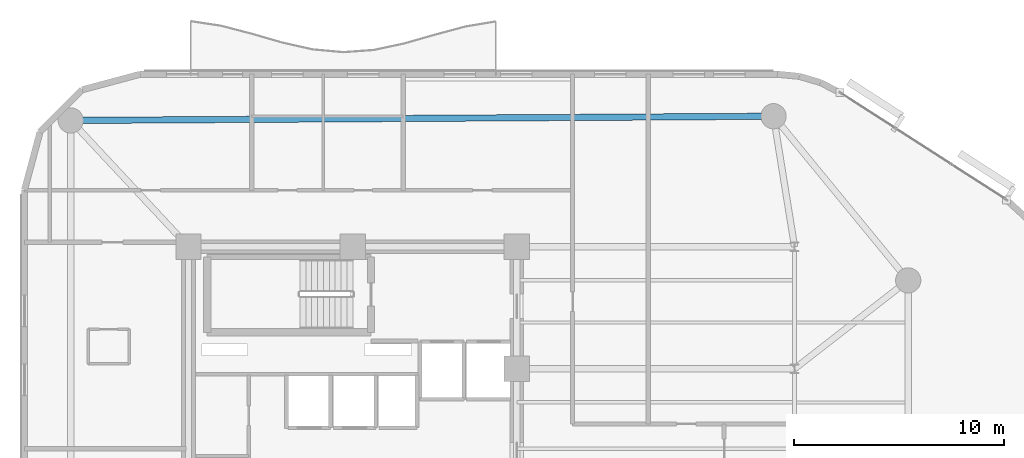
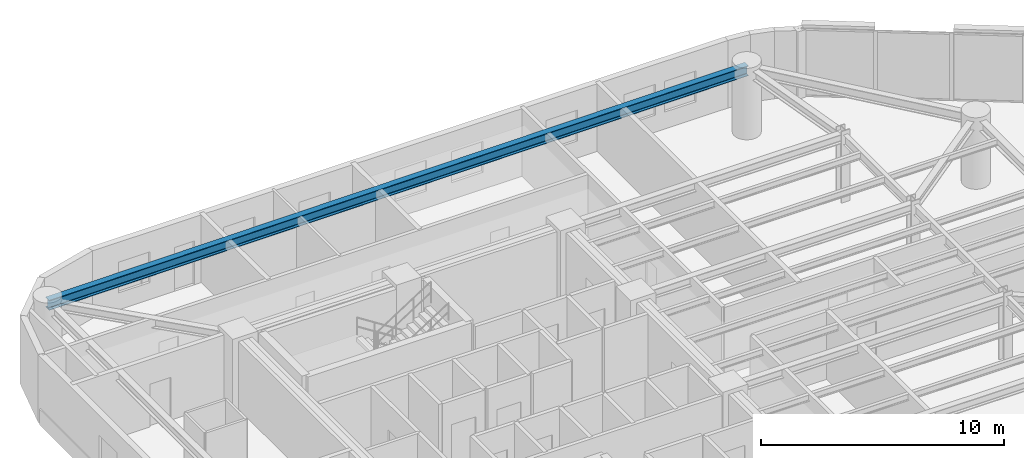
# One storey, part 7 of 15: 1 beam.
"""IFC4 building model written with IfcOpenShell, lengths in metres."""

import ifcopenshell
import ifcopenshell.guid

model = None  # the IFC model being written
_history = None  # IfcOwnerHistory: only IFC2X3 demands one
_inside = {}  # id of a spatial element -> (the spatial element, [elements in it])
_under = {}  # id of a project, library or spatial element -> (it, [spatial elements below it])
_declared = {}  # id of a project -> (the project, [libraries it declares])
_typed = {}  # id of a type object -> (the type object, [elements of that type])
_made_of = {}  # id of a material, layer set ... -> (it, [elements and type objects made of it])


def new_model(schema):
    """Start an empty IFC model of exactly this schema.

    Asked for "IFC4X3", IfcOpenShell would pick the latest addendum, in which some entities
    have other attributes; the version numbers below select the first issue.
    IFC2X3 requires an IfcOwnerHistory on every rooted entity: one is made here for all.
    """
    global model, _history
    if schema == "IFC4X3":
        model = ifcopenshell.file(schema_version=(4, 3, 0, 0))
    else:
        model = ifcopenshell.file(schema=schema)
    _inside.clear()
    _under.clear()
    _declared.clear()
    _typed.clear()
    _made_of.clear()
    _history = None
    if model.schema == "IFC2X3":
        org = make("IfcOrganization", Name="unknown")
        user = make(
            "IfcPersonAndOrganization",
            ThePerson=make("IfcPerson", FamilyName="unknown"),
            TheOrganization=org,
        )
        app = make(
            "IfcApplication",
            ApplicationDeveloper=org,
            Version="unknown",
            ApplicationFullName="unknown",
            ApplicationIdentifier="unknown",
        )
        _history = make(
            "IfcOwnerHistory",
            OwningUser=user,
            OwningApplication=app,
            ChangeAction="ADDED",
            CreationDate=0,
        )
    return model


def make(cls, **values):
    """One entity of the class cls with the attributes given. An attribute that is None is left unset."""
    return model.create_entity(
        cls, **{name: value for name, value in values.items() if value is not None}
    )


def rooted(cls, **values):
    """An entity with a GlobalId (a new one), such as an element, a storey or a relation."""
    return make(cls, GlobalId=ifcopenshell.guid.new(), OwnerHistory=_history, **values)


def si_unit(unit_type, name, prefix=None):
    """IfcSIUnit, for example si_unit("LENGTHUNIT", "METRE", prefix="MILLI")."""
    return make("IfcSIUnit", UnitType=unit_type, Prefix=prefix, Name=name)


def assignment(units):
    """IfcUnitAssignment: the units of a project."""
    return None if units is None else make("IfcUnitAssignment", Units=units)


def point(xyz):
    """IfcCartesianPoint."""
    return None if xyz is None else make("IfcCartesianPoint", Coordinates=xyz)


def direction(xyz):
    """IfcDirection."""
    return None if xyz is None else make("IfcDirection", DirectionRatios=xyz)


def frame(location, z_axis=None, x_axis=None):
    """IfcAxis2Placement3D, a coordinate frame: its origin and axes. An axis left out is left unset."""
    return make(
        "IfcAxis2Placement3D",
        Location=point(location),
        Axis=direction(z_axis),
        RefDirection=direction(x_axis),
    )


def frame_2d(location, x_axis=None):
    """IfcAxis2Placement2D, a coordinate frame in the plane: its origin and x axis."""
    return make(
        "IfcAxis2Placement2D", Location=point(location), RefDirection=direction(x_axis)
    )


def origin():
    """The frame at (0, 0, 0) with its axes left unset."""
    return frame((0.0, 0.0, 0.0))


def origin_2d():
    """The frame at (0, 0) in the plane with its x axis left unset."""
    return frame_2d((0.0, 0.0))


def place(relative_to, where):
    """IfcLocalPlacement: puts the frame where relative to a parent placement (None: the world)."""
    return make(
        "IfcLocalPlacement", PlacementRelTo=relative_to, RelativePlacement=where
    )


def context(
    kind, dimensions, precision=None, world=None, true_north=None, identifier=None
):
    """IfcGeometricRepresentationContext, for example the 3D "Model" context."""
    return make(
        "IfcGeometricRepresentationContext",
        ContextIdentifier=identifier,
        ContextType=kind,
        CoordinateSpaceDimension=dimensions,
        Precision=precision,
        WorldCoordinateSystem=world,
        TrueNorth=true_north,
    )


def subcontext(parent, identifier, kind, view, scale=None):
    """IfcGeometricRepresentationSubContext, for example "Body" below "Model"."""
    return make(
        "IfcGeometricRepresentationSubContext",
        ContextIdentifier=identifier,
        ContextType=kind,
        ParentContext=parent,
        TargetScale=scale,
        TargetView=view,
    )


def project(units=None, contexts=None):
    """IfcProject with its units and contexts."""
    return rooted(
        "IfcProject",
        Name="project",
        RepresentationContexts=contexts,
        UnitsInContext=assignment(units),
    )


def spatial(cls, under=None, at=None, **own):
    """A site, building, storey or space (cls), placed at a placement, below another one or the project."""
    s = rooted(cls, ObjectPlacement=at, **own)
    if under is not None:
        _under.setdefault(under.id(), (under, []))[1].append(s)
    return s


def profile(cls, at=None, kind="AREA", **sizes):
    """A parametric profile (cls). Its sizes go by their IFC names, for example OverallWidth=200.0."""
    return make(cls, ProfileType=kind, Position=at, **sizes)


def i_section(**sizes):
    """IfcIShapeProfileDef."""
    return profile("IfcIShapeProfileDef", **sizes)


def extrude(swept, where, along, depth):
    """IfcExtrudedAreaSolid: the profile swept, set in the frame where, extruded along a direction by depth."""
    return make(
        "IfcExtrudedAreaSolid",
        SweptArea=swept,
        Position=where,
        ExtrudedDirection=direction(along),
        Depth=depth,
    )


def shape(context_of_items, identifier, shape_type, items):
    """IfcShapeRepresentation: the items that make up one representation, for example the "Body"."""
    return make(
        "IfcShapeRepresentation",
        ContextOfItems=context_of_items,
        RepresentationIdentifier=identifier,
        RepresentationType=shape_type,
        Items=items,
    )


def material(Name=None, Category=None):
    """IfcMaterial."""
    return make("IfcMaterial", Name=Name, Category=Category)


def material_profile(
    of_material, cross_section, Name=None, Category=None, Priority=None
):
    """IfcMaterialProfile: a cross section and its material."""
    return make(
        "IfcMaterialProfile",
        Name=Name,
        Material=of_material,
        Profile=cross_section,
        Priority=Priority,
        Category=Category,
    )


def profile_set(profiles, Name=None, composite=None):
    """IfcMaterialProfileSet."""
    return make(
        "IfcMaterialProfileSet",
        Name=Name,
        MaterialProfiles=profiles,
        CompositeProfile=composite,
    )


def made_of(thing, what):
    """Note that an element or type object is made of a material, layer set ...; save() writes the relation."""
    if what is not None:
        _made_of.setdefault(what.id(), (what, []))[1].append(thing)
    return thing


def type_object(cls, material=None, **own):
    """A type object (cls), such as IfcWallType, which elements share."""
    return made_of(rooted(cls, **own), material)


def element(
    cls,
    number,
    at=None,
    inside=None,
    cuts=None,
    type_object=None,
    material=None,
    context=None,
    identifier="Body",
    shape_type=None,
    held_by="IfcProductDefinitionShape",
    body=None,
    shapes=None,
    **own,
):
    """One element of the class cls, such as IfcWall. Its Tag is "e" and its number.

    at: its placement. inside: the storey or other place that contains it. cuts: it is an
    opening in that element (IfcRelVoidsElement). A single representation is given by context,
    identifier, shape_type and body (its items); several are given by shapes. held_by: the class
    of the entity that holds the representations. save() writes the other relations.
    """
    e = rooted(cls, Tag="e%d" % number, ObjectPlacement=at, **own)
    if body is not None:
        shapes = [shape(context, identifier, shape_type, body)]
    if shapes is not None:
        e.Representation = make(held_by, Representations=shapes)
    if inside is not None:
        _inside.setdefault(inside.id(), (inside, []))[1].append(e)
    if cuts is not None:
        rooted(
            "IfcRelVoidsElement", RelatingBuildingElement=cuts, RelatedOpeningElement=e
        )
    if type_object is not None:
        _typed.setdefault(type_object.id(), (type_object, []))[1].append(e)
    return made_of(e, material)


def aggregate(whole, parts):
    """IfcRelAggregates: a whole, such as a stair, and the parts it consists of."""
    return rooted("IfcRelAggregates", RelatingObject=whole, RelatedObjects=parts)


def save(model, path):
    """Write the relations noted so far, then the file.

    IfcRelAggregates (storeys below a building ...), IfcRelContainedInSpatialStructure (elements
    in a storey), IfcRelDefinesByType, IfcRelAssociatesMaterial and IfcRelDeclares: one each for
    every whole, place, type object, material and project.
    """
    for whole, parts in _under.values():
        aggregate(whole, parts)
    for where, things in _inside.values():
        rooted(
            "IfcRelContainedInSpatialStructure",
            RelatedElements=things,
            RelatingStructure=where,
        )
    for kind, things in _typed.values():
        rooted("IfcRelDefinesByType", RelatedObjects=things, RelatingType=kind)
    for what, things in _made_of.values():
        rooted("IfcRelAssociatesMaterial", RelatedObjects=things, RelatingMaterial=what)
    for by, libraries in _declared.values():
        rooted("IfcRelDeclares", RelatingContext=by, RelatedDefinitions=libraries)
    model.write(path)


model = new_model("IFC4")

# Units and contexts
model_context = context("Model", 3, precision=1e-05, world=origin(), true_north=direction((0.0, 1.0)))
body_context = subcontext(model_context, "Body", "Model", "MODEL_VIEW")
ifc_project = project(units=[si_unit("LENGTHUNIT", "METRE"), si_unit("AREAUNIT", "SQUARE_METRE"), si_unit("VOLUMEUNIT", "CUBIC_METRE"), si_unit("PLANEANGLEUNIT", "RADIAN"), si_unit("MASSUNIT", "GRAM", prefix="KILO")], contexts=[model_context])

# Site, building, storey
site_placement = place(None, origin())
site = spatial("IfcSite", under=ifc_project, at=site_placement, CompositionType="ELEMENT")
building_placement = place(site_placement, origin())
building = spatial("IfcBuilding", under=site, at=building_placement, Name="An Khanh Terracotta Commons", CompositionType="ELEMENT")
storey_placement = place(building_placement, frame((0.0, 0.0, 179.800048828125)))
storey = spatial("IfcBuildingStorey", under=building, at=storey_placement, Name="L47", CompositionType="ELEMENT", Elevation=179.800048828125)

# Beam
ifc_material = material(Name="Steel S355J2", Category="steel")
ifc_material_profile = material_profile(ifc_material, i_section(OverallWidth=0.300048828125, OverallDepth=0.5, WebThickness=0.014404296875, FlangeThickness=0.028076171875, FilletRadius=0.027099609375, at=origin_2d()), Name="HEB500")
ifc_profile_set = profile_set([ifc_material_profile], Name="Steel S355J2")
beam_type = type_object("IfcBeamType", Name="BM-HEB500", PredefinedType="BEAM", material=ifc_profile_set)
beam_placement = place(storey_placement, frame((49.39990234375, 39.800048828125, 3.14990234375), z_axis=(-0.999982080914, -0.005986472262, 0.0), x_axis=(0.005986472262, -0.999982080914, 0.0)))
element("IfcBeam", 1, at=beam_placement, inside=storey, type_object=beam_type, Name="L47 Perimeter Ring Spandrel 5", PredefinedType="BEAM", context=body_context, shape_type="SweptSolid", body=[
    extrude(i_section(OverallWidth=0.300048828125, OverallDepth=0.5, WebThickness=0.014404296875, FlangeThickness=0.028076171875, FilletRadius=0.027099609375, at=origin_2d()), origin(), (0.0, 0.0, 1.0), 33.400390625),
])

save(model, "model.ifc")
